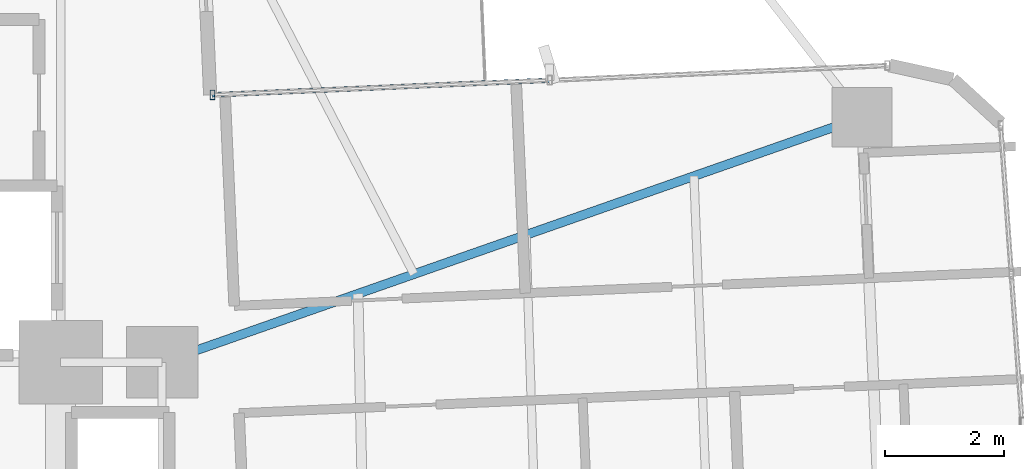
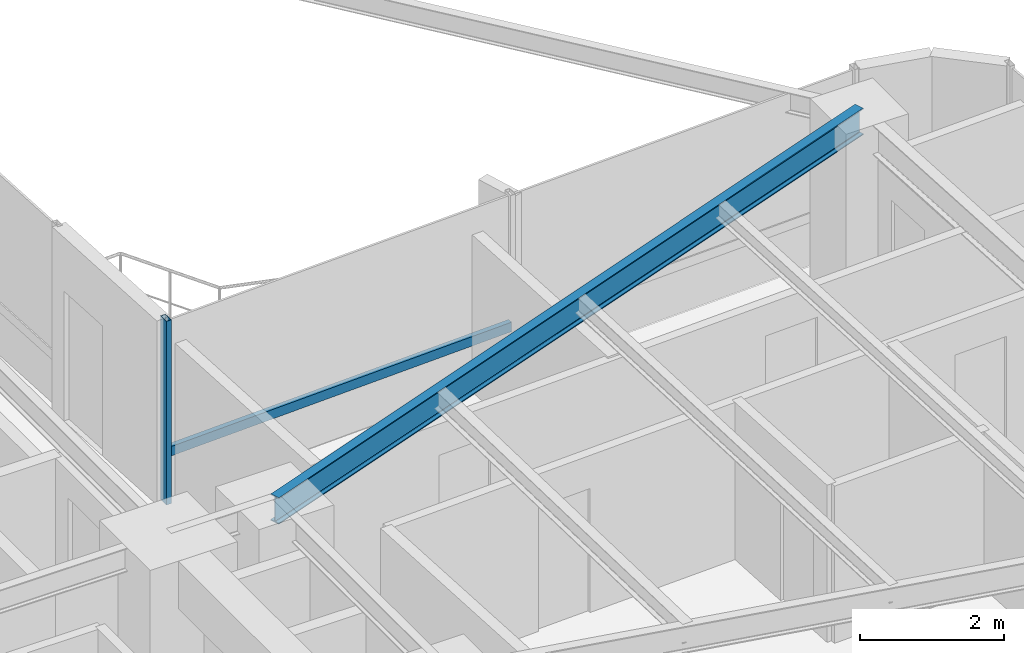
# One storey, part 13 of 26: 2 members, 1 beam, 1 element without a shape of its own.
"""IFC4 building model written with IfcOpenShell, lengths in metres."""

from ifc_helpers import new_model, si_unit, direction, frame, origin, origin_2d, place, context, subcontext, project, spatial, hollow_rectangle, i_section, extrude, source, transform, mapped, material, material_profile, profile_set, type_object, element, aggregate, save


model = new_model("IFC4")

# Units and contexts
model_context = context("Model", 3, precision=1e-05, world=origin(), true_north=direction((0.0, 1.0)))
body_context = subcontext(model_context, "Body", "Model", "MODEL_VIEW")
ifc_project = project(units=[si_unit("LENGTHUNIT", "METRE"), si_unit("AREAUNIT", "SQUARE_METRE"), si_unit("VOLUMEUNIT", "CUBIC_METRE"), si_unit("PLANEANGLEUNIT", "RADIAN"), si_unit("MASSUNIT", "GRAM", prefix="KILO")], contexts=[model_context])

# Site, building, storey
site_placement = place(None, origin())
site = spatial("IfcSite", under=ifc_project, at=site_placement, CompositionType="ELEMENT")
building_placement = place(site_placement, origin())
building = spatial("IfcBuilding", under=site, at=building_placement, Name="Sahyath Konkavel Grand Hotel", CompositionType="ELEMENT")
storey_placement = place(building_placement, frame((0.0, 0.0, 128.199951171875)))
storey = spatial("IfcBuildingStorey", under=building, at=storey_placement, Name="L35", CompositionType="ELEMENT", Elevation=128.199951171875)

# Beam
ifc_material_1 = material(Name="Steel E350", Category="steel")
ifc_material_profile_1 = material_profile(ifc_material_1, i_section(OverallWidth=0.14990234375, OverallDepth=0.449951171875, WebThickness=0.009521484375, FlangeThickness=0.017333984375, FilletRadius=0.014892578125, at=origin_2d()), Name="ISMB 450")
ifc_profile_set_1 = profile_set([ifc_material_profile_1], Name="Steel E350")
beam_type = type_object("IfcBeamType", Name="BM-ISMB450", PredefinedType="BEAM", material=ifc_profile_set_1)
shared_shape_1 = source(origin(), body_context, "Body", "SweptSolid", [
    extrude(i_section(OverallWidth=0.14990234375, OverallDepth=0.449951171875, WebThickness=0.009521484375, FlangeThickness=0.017333984375, FilletRadius=0.014892578125, at=origin_2d()), origin(), (0.0, 0.0, 1.0), 12.430908203125),
])
beam_placement = place(storey_placement, frame((5.5, 2.39990234375, 2.885009765625), z_axis=(0.943819157235, 0.330462400941, 0.0), x_axis=(-0.330462400941, 0.943819157235, 0.0)))
element("IfcBeam", 1, at=beam_placement, inside=storey, type_object=beam_type, Name="L35 Cruciform Radial Girder EB", PredefinedType="BEAM", context=body_context, shape_type="MappedRepresentation", body=[
    mapped(shared_shape_1, transform((0.0, 0.0, 0.0), scale=1.0)),
])

# Curtain wall, members
ifc_material_2 = material(Name="Anodised Bronze Aluminium & Low-E Glazing", Category="aluminium")
curtain_wall_type = type_object("IfcCurtainWallType", Name="CW-ZONE2", PredefinedType="NOTDEFINED", material=ifc_material_2)
curtain_wall_placement = place(storey_placement, origin())
curtain_wall = element("IfcCurtainWall", 2, at=curtain_wall_placement, inside=storey, type_object=curtain_wall_type, Name="L35 Unitised Curtain Wall F7", PredefinedType="NOTDEFINED")
ifc_material_3 = material(Name="Anodised Bronze Aluminium", Category="aluminium")
ifc_material_profile_2 = material_profile(ifc_material_3, hollow_rectangle(XDim=0.080078125, YDim=0.159912109375, WallThickness=0.006103515625, at=origin_2d()), Name="RHS 160x80x6")
ifc_profile_set_2 = profile_set([ifc_material_profile_2], Name="Anodised Bronze Aluminium")
member_type_1 = type_object("IfcMemberType", Name="CW-MUL-160", PredefinedType="MULLION", material=ifc_profile_set_2)
shared_shape_2 = source(origin(), body_context, "Body", "SweptSolid", [
    extrude(hollow_rectangle(XDim=0.080078125, YDim=0.159912109375, WallThickness=0.006103515625, at=origin_2d()), origin(), (0.0, 0.0, 1.0), 3.110107421875),
])
member_1_placement = place(storey_placement, frame((6.345703125, 6.88330078125, 0.0), z_axis=(0.0, 0.0, 1.0), x_axis=(1.0, 0.0, 0.0)))
member_1 = element("IfcMember", 3, at=member_1_placement, type_object=member_type_1, Name="L35 Curtain Wall Mullion F7-2", PredefinedType="MULLION", context=body_context, shape_type="MappedRepresentation", body=[
    mapped(shared_shape_2, transform((0.0, 0.0, 0.0), scale=1.0)),
])
ifc_material_profile_3 = material_profile(ifc_material_3, hollow_rectangle(XDim=0.080078125, YDim=0.159912109375, WallThickness=0.006103515625, at=origin_2d()), Name="RHS 160x80x6")
ifc_profile_set_3 = profile_set([ifc_material_profile_3], Name="Anodised Bronze Aluminium")
member_type_2 = type_object("IfcMemberType", Name="CW-TRN-160", PredefinedType="USERDEFINED", material=ifc_profile_set_3)
shared_shape_3 = source(origin(), body_context, "Body", "SweptSolid", [
    extrude(hollow_rectangle(XDim=0.080078125, YDim=0.159912109375, WallThickness=0.006103515625, at=origin_2d()), origin(), (0.0, 0.0, 1.0), 5.66015625),
])
member_2_placement = place(storey_placement, frame((12.00048828125, 7.13037109375, 0.85009765625), z_axis=(-0.9990468579, -0.043650609628, 0.0), x_axis=(0.043650609628, -0.9990468579, 0.0)))
member_2 = element("IfcMember", 4, at=member_2_placement, type_object=member_type_2, Name="L35 Curtain Wall Transom F7-1-spandrel", ObjectType="TRANSOM", PredefinedType="USERDEFINED", context=body_context, shape_type="MappedRepresentation", body=[
    mapped(shared_shape_3, transform((0.0, 0.0, 0.0), scale=1.0)),
])
aggregate(curtain_wall, [member_1, member_2])

save(model, "model.ifc")
